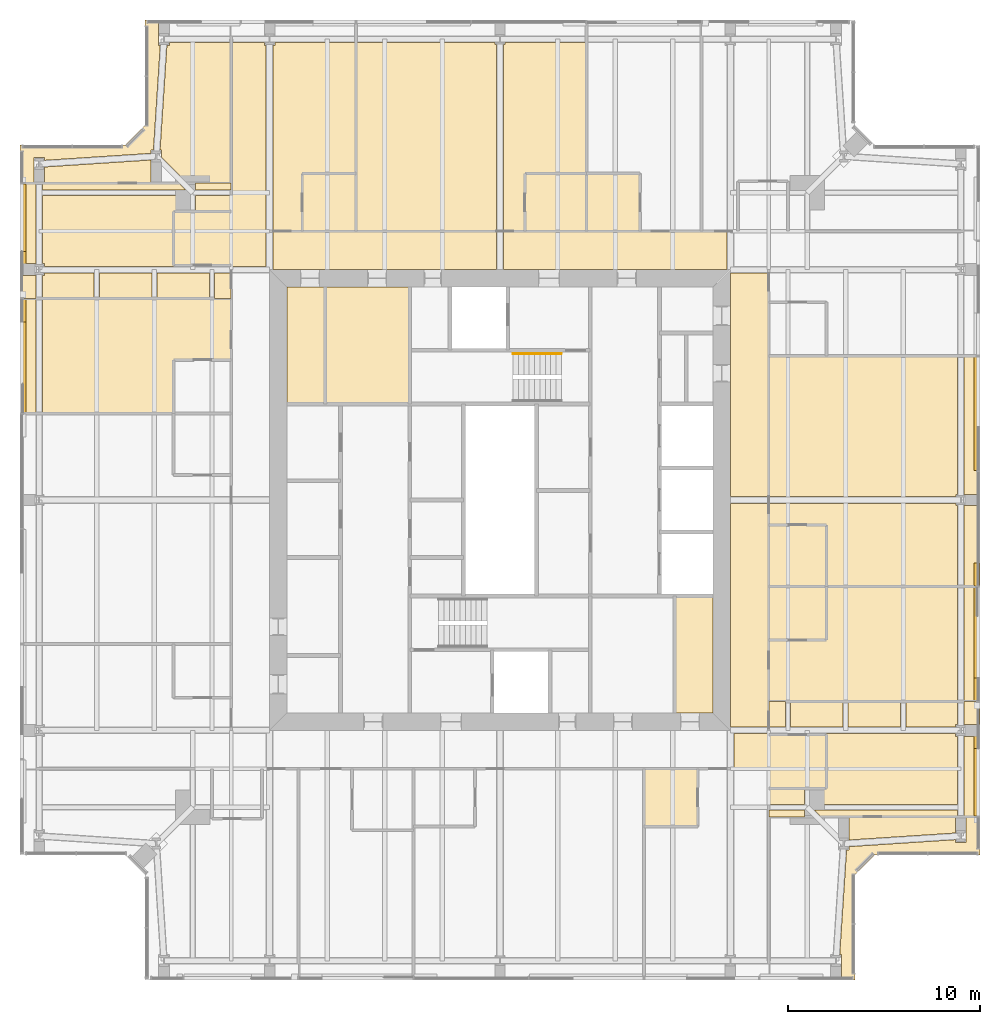
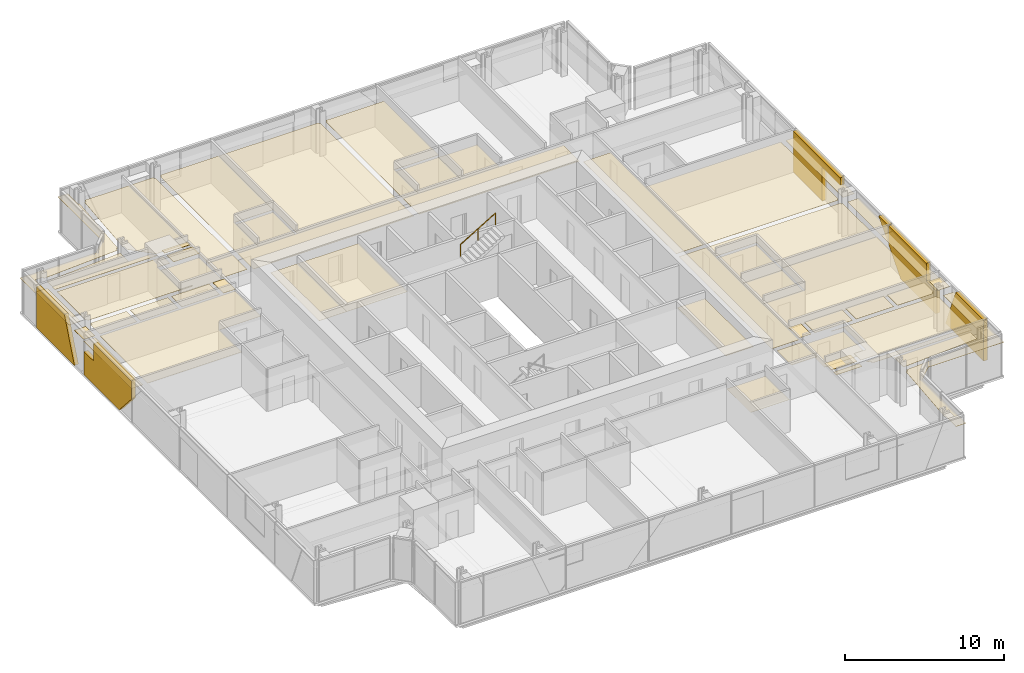
# One storey, part 18 of 19: 60 coverings, 1 railing.
"""IFC4 building model written with IfcOpenShell, lengths in metres."""

from ifc_helpers import new_model, si_unit, direction, frame, origin, origin_2d, place, context, subcontext, project, spatial, polyline, circle, outline, extrude, material, layer, layer_set, type_object, element, save


model = new_model("IFC4")

# Units and contexts
model_context = context("Model", 3, precision=1e-05, world=origin(), true_north=direction((0.0, 1.0)))
body_context = subcontext(model_context, "Body", "Model", "MODEL_VIEW")
ifc_project = project(units=[si_unit("LENGTHUNIT", "METRE"), si_unit("AREAUNIT", "SQUARE_METRE"), si_unit("VOLUMEUNIT", "CUBIC_METRE"), si_unit("PLANEANGLEUNIT", "RADIAN"), si_unit("MASSUNIT", "GRAM", prefix="KILO")], contexts=[model_context])

# Site, building, storey
site_placement = place(None, origin())
site = spatial("IfcSite", under=ifc_project, at=site_placement, CompositionType="ELEMENT")
building_placement = place(site_placement, origin())
building = spatial("IfcBuilding", under=site, at=building_placement, Name="Fenwick Lantern Interchange", CompositionType="ELEMENT")
storey_placement = place(building_placement, frame((0.0, 0.0, 273.0)))
storey = spatial("IfcBuildingStorey", under=building, at=storey_placement, Name="L65", CompositionType="ELEMENT", Elevation=273.0)

# Coverings
ifc_material_1 = material(Name="Granite cladding, warm grey flamed finish, on aluminium carrier frame", Category="masonry")
ifc_layer_1 = layer(ifc_material_1, 0.300048828125)
ifc_layer_set_1 = layer_set([ifc_layer_1], Name="BRACE CASING PANEL 300")
covering_type_1 = type_object("IfcCoveringType", Name="BRACE CASING PANEL 300", PredefinedType="CLADDING", material=ifc_layer_set_1)
covering_1_placement = place(storey_placement, frame((49.89990234375, 6.60009765625, 0.0), z_axis=(0.0, 0.0, 1.0), x_axis=(0.0, 1.0, 0.0)))
element("IfcCovering", 1, at=covering_1_placement, inside=storey, type_object=covering_type_1, Name="Brace casing 05 bay 01a", PredefinedType="CLADDING", context=body_context, shape_type="SweptSolid", body=[
    extrude(outline(polyline([(1.929931640625, 0.0), (6.721435546875, 0.0), (5.44775390625, 3.14990234375), (1.929931640625, 3.14990234375), (1.929931640625, 0.0)])), frame((0.0, 0.2099609375, 0.0), z_axis=(0.0, -1.0, 0.0), x_axis=(1.0, 0.0, 0.0)), (0.0, 0.0, 1.0), 0.300048828125),
])
covering_2_placement = place(storey_placement, frame((49.89990234375, 6.60009765625, 0.0), z_axis=(0.0, 0.0, 1.0), x_axis=(0.0, 1.0, 0.0)))
element("IfcCovering", 2, at=covering_2_placement, inside=storey, type_object=covering_type_1, Name="Brace casing 05 bay 02a", PredefinedType="CLADDING", context=body_context, shape_type="SweptSolid", body=[
    extrude(outline(polyline([(7.929931640625, 0.0), (12.335205078125, 0.0), (13.8701171875, 1.739501953125), (13.8701171875, 3.14990234375), (9.1201171875, 3.14990234375), (9.1201171875, 1.79736328125), (7.929931640625, 1.79736328125), (7.929931640625, 0.0)])), frame((0.0, 0.2099609375, 0.0), z_axis=(0.0, -1.0, 0.0), x_axis=(1.0, 0.0, 0.0)), (0.0, 0.0, 1.0), 0.300048828125),
])
covering_3_placement = place(storey_placement, frame((49.89990234375, 6.60009765625, 1.807373046875), z_axis=(0.0, 0.0, 1.0), x_axis=(0.0, 1.0, 0.0)))
element("IfcCovering", 3, at=covering_3_placement, inside=storey, type_object=covering_type_1, Name="Brace casing 05 bay 03a", PredefinedType="CLADDING", context=body_context, shape_type="SweptSolid", body=[
    extrude(outline(polyline([(13.929931640625, 0.0), (15.114501953125, 1.342529296875), (13.929931640625, 1.342529296875), (13.929931640625, 0.0)])), frame((0.0, 0.2099609375, 0.0), z_axis=(0.0, -1.0, 0.0), x_axis=(1.0, 0.0, 0.0)), (0.0, 0.0, 1.0), 0.300048828125),
])
covering_4_placement = place(storey_placement, frame((49.89990234375, 6.60009765625, 0.0), z_axis=(0.0, 0.0, 1.0), x_axis=(0.0, 1.0, 0.0)))
element("IfcCovering", 4, at=covering_4_placement, inside=storey, type_object=covering_type_1, Name="Brace casing 05 bay 04a", PredefinedType="CLADDING", context=body_context, shape_type="SweptSolid", body=[
    extrude(outline(polyline([(22.195068359375, 0.0), (25.8701171875, 0.0), (25.8701171875, 3.14990234375), (19.929931640625, 3.14990234375), (19.929931640625, 2.572509765625), (22.195068359375, 2.572509765625), (22.195068359375, 0.0)])), frame((0.0, 0.2099609375, 0.0), z_axis=(0.0, -1.0, 0.0), x_axis=(1.0, 0.0, 0.0)), (0.0, 0.0, 1.0), 0.300048828125),
])
covering_5_placement = place(storey_placement, frame((0.10009765625, 43.39990234375, 0.0), z_axis=(0.0, 0.0, 1.0), x_axis=(0.0, -1.0, 0.0)))
element("IfcCovering", 5, at=covering_5_placement, inside=storey, type_object=covering_type_1, Name="Brace casing 13 bay 01a", PredefinedType="CLADDING", context=body_context, shape_type="SweptSolid", body=[
    extrude(outline(polyline([(1.929931640625, 0.0), (6.721435546875, 0.0), (5.44775390625, 3.14990234375), (1.929931640625, 3.14990234375), (1.929931640625, 0.0)])), frame((0.0, 0.2099609375, 0.0), z_axis=(0.0, -1.0, 0.0), x_axis=(1.0, 0.0, 0.0)), (0.0, 0.0, 1.0), 0.300048828125),
])
covering_6_placement = place(storey_placement, frame((0.10009765625, 43.39990234375, 0.0), z_axis=(0.0, 0.0, 1.0), x_axis=(0.0, -1.0, 0.0)))
element("IfcCovering", 6, at=covering_6_placement, inside=storey, type_object=covering_type_1, Name="Brace casing 13 bay 02a", PredefinedType="CLADDING", context=body_context, shape_type="SweptSolid", body=[
    extrude(outline(polyline([(7.929931640625, 0.0), (12.335205078125, 0.0), (13.8701171875, 1.739501953125), (13.8701171875, 3.14990234375), (9.1201171875, 3.14990234375), (9.1201171875, 1.79736328125), (7.929931640625, 1.79736328125), (7.929931640625, 0.0)])), frame((0.0, 0.2099609375, 0.0), z_axis=(0.0, -1.0, 0.0), x_axis=(1.0, 0.0, 0.0)), (0.0, 0.0, 1.0), 0.300048828125),
])

# Railing
ifc_material_2 = material(Name="Stainless steel handrail", Category="steel")
railing_type = type_object("IfcRailingType", Name="HANDRAIL 900", PredefinedType="HANDRAIL", material=ifc_material_2)
railing_placement = place(storey_placement, frame((25.679931640625, 32.6259765625, 1.8701171875)))
element("IfcRailing", 7, at=railing_placement, inside=storey, type_object=railing_type, Name="L65/STAIR/ST2/HR2", PredefinedType="HANDRAIL", context=body_context, shape_type="SweptSolid", body=[
    extrude(circle(Radius=0.02392578125, at=origin_2d()), frame((0.0, 0.0, 0.8759765625), z_axis=(0.854821627497, 0.0, 0.518921945155), x_axis=(0.0, 1.0, 0.0)), (0.0, 0.0, 1.0), 2.947998046875),
    extrude(circle(Radius=0.02099609375, at=origin_2d()), origin(), (0.0, 0.0, 1.0), 0.851806640625),
    extrude(circle(Radius=0.02099609375, at=origin_2d()), frame((1.260009765625, 0.0, 0.764892578125)), (0.0, 0.0, 1.0), 0.851806640625),
    extrude(circle(Radius=0.02099609375, at=origin_2d()), frame((2.52001953125, 0.0, 1.52978515625)), (0.0, 0.0, 1.0), 0.851806640625),
])

# Coverings
ifc_material_3 = material(Name="Moisture resistant gypsum board on suspended frame, painted")
ifc_layer_2 = layer(ifc_material_3, 0.014892578125)
ifc_layer_set_2 = layer_set([ifc_layer_2], Name="MOISTURE RESISTANT CEILING 15")
covering_type_2 = type_object("IfcCoveringType", Name="MOISTURE RESISTANT CEILING 15", PredefinedType="CEILING", material=ifc_layer_set_2)
covering_7_placement = place(storey_placement, frame((0.0, 0.0, 2.60009765625)))
element("IfcCovering", 8, at=covering_7_placement, inside=storey, type_object=covering_type_2, Name="Men's WC ceiling", PredefinedType="CEILING", context=body_context, shape_type="SweptSolid", body=[
    extrude(outline(polyline([(34.10009765625, 13.89990234375), (36.10009765625, 13.89990234375), (36.10009765625, 20.0), (34.10009765625, 20.0), (34.10009765625, 13.89990234375)])), origin(), (0.0, 0.0, 1.0), 0.014892578125),
])
covering_8_placement = place(storey_placement, frame((0.0, 0.0, 2.60009765625)))
element("IfcCovering", 9, at=covering_8_placement, inside=storey, type_object=covering_type_2, Name="Women's WC ceiling", PredefinedType="CEILING", context=body_context, shape_type="SweptSolid", body=[
    extrude(outline(polyline([(20.300048828125, 36.10009765625), (15.89990234375, 36.10009765625), (15.89990234375, 30.0), (20.300048828125, 30.0), (20.300048828125, 36.10009765625)])), origin(), (0.0, 0.0, 1.0), 0.014892578125),
])
covering_9_placement = place(storey_placement, frame((0.0, 0.0, 2.60009765625)))
element("IfcCovering", 10, at=covering_9_placement, inside=storey, type_object=covering_type_2, Name="Men's WC ceiling", PredefinedType="CEILING", context=body_context, shape_type="SweptSolid", body=[
    extrude(outline(polyline([(15.89990234375, 36.10009765625), (13.89990234375, 36.10009765625), (13.89990234375, 30.0), (15.89990234375, 30.0), (15.89990234375, 36.10009765625)])), origin(), (0.0, 0.0, 1.0), 0.014892578125),
])
covering_10_placement = place(storey_placement, frame((0.0, 0.0, 2.39990234375)))
element("IfcCovering", 11, at=covering_10_placement, inside=storey, type_object=covering_type_2, Name="En-suite 6504 ceiling", PredefinedType="CEILING", context=body_context, shape_type="SweptSolid", body=[
    extrude(outline(polyline([(32.5, 8.0), (35.300048828125, 8.0), (35.300048828125, 11.0), (32.5, 11.0), (32.5, 8.0)])), origin(), (0.0, 0.0, 1.0), 0.01513671875),
])
covering_11_placement = place(storey_placement, frame((0.0, 0.0, 2.39990234375)))
element("IfcCovering", 12, at=covering_11_placement, inside=storey, type_object=covering_type_2, Name="En-suite 6505 ceiling", PredefinedType="CEILING", context=body_context, shape_type="SweptSolid", body=[
    extrude(outline(polyline([(42.0, 9.97509765625), (42.0, 12.77490234375), (39.0, 12.77490234375), (39.0, 9.97509765625), (42.0, 9.97509765625)])), origin(), (0.0, 0.0, 1.0), 0.01513671875),
])
covering_12_placement = place(storey_placement, frame((0.0, 0.0, 2.39990234375)))
element("IfcCovering", 13, at=covering_12_placement, inside=storey, type_object=covering_type_2, Name="En-suite 6506 ceiling", PredefinedType="CEILING", context=body_context, shape_type="SweptSolid", body=[
    extrude(outline(polyline([(42.0, 17.699951171875), (42.0, 20.5), (39.0, 20.5), (39.0, 17.699951171875), (42.0, 17.699951171875)])), origin(), (0.0, 0.0, 1.0), 0.01513671875),
])
covering_13_placement = place(storey_placement, frame((0.0, 0.0, 2.39990234375)))
element("IfcCovering", 14, at=covering_13_placement, inside=storey, type_object=covering_type_2, Name="En-suite 6507 ceiling", PredefinedType="CEILING", context=body_context, shape_type="SweptSolid", body=[
    extrude(outline(polyline([(42.0, 20.5), (42.0, 23.699951171875), (39.0, 23.699951171875), (39.0, 20.5), (42.0, 20.5)])), origin(), (0.0, 0.0, 1.0), 0.01513671875),
])
covering_14_placement = place(storey_placement, frame((0.0, 0.0, 2.39990234375)))
element("IfcCovering", 15, at=covering_14_placement, inside=storey, type_object=covering_type_2, Name="En-suite 6510 ceiling", PredefinedType="CEILING", context=body_context, shape_type="SweptSolid", body=[
    extrude(outline(polyline([(32.300048828125, 42.0), (29.5, 42.0), (29.5, 39.0), (32.300048828125, 39.0), (32.300048828125, 42.0)])), origin(), (0.0, 0.0, 1.0), 0.01513671875),
])
covering_15_placement = place(storey_placement, frame((0.0, 0.0, 2.39990234375)))
element("IfcCovering", 16, at=covering_15_placement, inside=storey, type_object=covering_type_2, Name="En-suite 6511 ceiling", PredefinedType="CEILING", context=body_context, shape_type="SweptSolid", body=[
    extrude(outline(polyline([(29.5, 42.0), (26.300048828125, 42.0), (26.300048828125, 39.0), (29.5, 39.0), (29.5, 42.0)])), origin(), (0.0, 0.0, 1.0), 0.01513671875),
])
covering_16_placement = place(storey_placement, frame((0.0, 0.0, 2.39990234375)))
element("IfcCovering", 17, at=covering_16_placement, inside=storey, type_object=covering_type_2, Name="En-suite 6512 ceiling", PredefinedType="CEILING", context=body_context, shape_type="SweptSolid", body=[
    extrude(outline(polyline([(17.5, 42.0), (14.699951171875, 42.0), (14.699951171875, 39.0), (17.5, 39.0), (17.5, 42.0)])), origin(), (0.0, 0.0, 1.0), 0.01513671875),
])
covering_17_placement = place(storey_placement, frame((0.0, 0.0, 2.39990234375)))
element("IfcCovering", 18, at=covering_17_placement, inside=storey, type_object=covering_type_2, Name="En-suite 6513 ceiling", PredefinedType="CEILING", context=body_context, shape_type="SweptSolid", body=[
    extrude(outline(polyline([(8.0, 40.02490234375), (8.0, 37.22509765625), (11.0, 37.22509765625), (11.0, 40.02490234375), (8.0, 40.02490234375)])), origin(), (0.0, 0.0, 1.0), 0.01513671875),
])
ifc_material_4 = material(Name="Gypsum plasterboard on suspended frame, painted")
ifc_layer_3 = layer(ifc_material_4, 0.014892578125)
ifc_layer_set_3 = layer_set([ifc_layer_3], Name="PLASTERBOARD CEILING 15")
covering_type_3 = type_object("IfcCoveringType", Name="PLASTERBOARD CEILING 15", PredefinedType="CEILING", material=ifc_layer_set_3)
covering_18_placement = place(storey_placement, frame((0.0, 0.0, 2.57275390625)))
element("IfcCovering", 19, at=covering_18_placement, inside=storey, type_object=covering_type_3, Name="Corridor ceiling", PredefinedType="CEILING", context=body_context, shape_type="SweptSolid", body=[
    extrude(outline(polyline([(39.0, 25.175048828125), (39.0, 36.833984375), (37.0, 36.833984375), (37.0, 25.175048828125), (39.0, 25.175048828125)])), origin(), (0.0, 0.0, 1.0), 0.01513671875),
])
covering_19_placement = place(storey_placement, frame((0.0, 0.0, 2.57275390625)))
element("IfcCovering", 20, at=covering_19_placement, inside=storey, type_object=covering_type_3, Name="Corridor ceiling", PredefinedType="CEILING", context=body_context, shape_type="SweptSolid", body=[
    extrude(outline(polyline([(39.0, 13.166015625), (39.0, 24.824951171875), (37.0, 24.824951171875), (37.0, 13.166015625), (39.0, 13.166015625)])), origin(), (0.0, 0.0, 1.0), 0.01513671875),
])
covering_20_placement = place(storey_placement, frame((0.0, 0.0, 2.57275390625)))
element("IfcCovering", 21, at=covering_20_placement, inside=storey, type_object=covering_type_3, Name="Corridor ceiling", PredefinedType="CEILING", context=body_context, shape_type="SweptSolid", body=[
    extrude(outline(polyline([(24.816162109375, 39.0), (13.183837890625, 39.0), (13.183837890625, 37.0), (24.816162109375, 37.0), (24.816162109375, 39.0)])), origin(), (0.0, 0.0, 1.0), 0.01513671875),
])
covering_21_placement = place(storey_placement, frame((0.0, 0.0, 2.57275390625)))
element("IfcCovering", 22, at=covering_21_placement, inside=storey, type_object=covering_type_3, Name="Corridor ceiling", PredefinedType="CEILING", context=body_context, shape_type="SweptSolid", body=[
    extrude(outline(polyline([(36.816162109375, 39.0), (25.183837890625, 39.0), (25.183837890625, 37.0), (36.816162109375, 37.0), (36.816162109375, 39.0)])), origin(), (0.0, 0.0, 1.0), 0.01513671875),
])
covering_22_placement = place(storey_placement, frame((0.0, 0.0, 2.57275390625)))
element("IfcCovering", 23, at=covering_22_placement, inside=storey, type_object=covering_type_3, Name="Corridor ceiling", PredefinedType="CEILING", context=body_context, shape_type="SweptSolid", body=[
    extrude(outline(polyline([(12.816162109375, 39.0), (11.0, 39.0), (11.0, 37.166015625), (12.816162109375, 37.166015625), (12.816162109375, 39.0)])), origin(), (0.0, 0.0, 1.0), 0.01513671875),
])
covering_23_placement = place(storey_placement, frame((0.0, 0.0, 2.57275390625)))
element("IfcCovering", 24, at=covering_23_placement, inside=storey, type_object=covering_type_3, Name="Corridor ceiling", PredefinedType="CEILING", context=body_context, shape_type="SweptSolid", body=[
    extrude(outline(polyline([(39.0, 11.0), (39.0, 12.833984375), (37.183837890625, 12.833984375), (37.183837890625, 11.0), (39.0, 11.0)])), origin(), (0.0, 0.0, 1.0), 0.01513671875),
])
covering_24_placement = place(storey_placement, frame((0.0, 0.0, 2.57275390625)))
element("IfcCovering", 25, at=covering_24_placement, inside=storey, type_object=covering_type_3, Name="Guest suite 6505 sitting room ceiling", PredefinedType="CEILING", context=body_context, shape_type="SweptSolid", body=[
    extrude(outline(polyline([(42.77734375, 1.33447265625), (42.77734375, 0.0), (43.5, 0.0), (43.5, 5.5), (44.5, 6.5), (50.0, 6.5), (50.0, 8.5), (49.27734375, 8.5), (49.27734375, 7.16552734375), (48.72265625, 7.16552734375), (48.72265625, 7.30908203125), (43.17724609375, 6.9453125), (43.17724609375, 6.765625), (43.05078125, 6.765625), (42.69482421875, 1.33447265625), (42.77734375, 1.33447265625)])), origin(), (0.0, 0.0, 1.0), 0.01513671875),
])
covering_25_placement = place(storey_placement, frame((0.0, 0.0, 2.57275390625)))
element("IfcCovering", 26, at=covering_25_placement, inside=storey, type_object=covering_type_3, Name="Guest suite 6505 sitting room ceiling", PredefinedType="CEILING", context=body_context, shape_type="SweptSolid", body=[
    extrude(outline(polyline([(43.17724609375, 8.5), (43.17724609375, 7.291015625), (48.72265625, 7.654541015625), (48.72265625, 8.5), (43.17724609375, 8.5)])), origin(), (0.0, 0.0, 1.0), 0.01513671875),
])
covering_26_placement = place(storey_placement, frame((0.0, 0.0, 2.699951171875)))
element("IfcCovering", 27, at=covering_26_placement, inside=storey, type_object=covering_type_3, Name="Guest suite 6505 bedroom ceiling", PredefinedType="CEILING", context=body_context, shape_type="SweptSolid", body=[
    extrude(outline(polyline([(48.72900390625, 12.6845703125), (48.72900390625, 12.833984375), (41.134521484375, 12.833984375), (41.134521484375, 12.77490234375), (42.0, 12.77490234375), (42.0, 9.97509765625), (41.134521484375, 9.97509765625), (41.134521484375, 9.134521484375), (48.82763671875, 9.134521484375), (48.82763671875, 12.6845703125), (48.72900390625, 12.6845703125)])), origin(), (0.0, 0.0, 1.0), 0.01513671875),
])
covering_27_placement = place(storey_placement, frame((0.0, 0.0, 2.699951171875)))
element("IfcCovering", 28, at=covering_27_placement, inside=storey, type_object=covering_type_3, Name="Guest suite 6505 bedroom ceiling", PredefinedType="CEILING", context=body_context, shape_type="SweptSolid", body=[
    extrude(outline(polyline([(42.865478515625, 14.5), (40.134521484375, 14.5), (40.134521484375, 13.166015625), (42.865478515625, 13.166015625), (42.865478515625, 14.5)])), origin(), (0.0, 0.0, 1.0), 0.01513671875),
])
covering_28_placement = place(storey_placement, frame((0.0, 0.0, 2.699951171875)))
element("IfcCovering", 29, at=covering_28_placement, inside=storey, type_object=covering_type_3, Name="Guest suite 6505 bedroom ceiling", PredefinedType="CEILING", context=body_context, shape_type="SweptSolid", body=[
    extrude(outline(polyline([(45.865478515625, 14.5), (43.134521484375, 14.5), (43.134521484375, 13.166015625), (45.865478515625, 13.166015625), (45.865478515625, 14.5)])), origin(), (0.0, 0.0, 1.0), 0.01513671875),
])
covering_29_placement = place(storey_placement, frame((0.0, 0.0, 2.699951171875)))
element("IfcCovering", 30, at=covering_29_placement, inside=storey, type_object=covering_type_3, Name="Guest suite 6505 bedroom ceiling", PredefinedType="CEILING", context=body_context, shape_type="SweptSolid", body=[
    extrude(outline(polyline([(48.72900390625, 13.3154296875), (48.82763671875, 13.3154296875), (48.82763671875, 14.5), (46.134521484375, 14.5), (46.134521484375, 13.166015625), (48.72900390625, 13.166015625), (48.72900390625, 13.3154296875)])), origin(), (0.0, 0.0, 1.0), 0.01513671875),
])
covering_30_placement = place(storey_placement, frame((0.0, 0.0, 2.699951171875)))
element("IfcCovering", 31, at=covering_30_placement, inside=storey, type_object=covering_type_3, Name="Guest suite 6505 bedroom ceiling", PredefinedType="CEILING", context=body_context, shape_type="SweptSolid", body=[
    extrude(outline(polyline([(50.0, 12.6845703125), (49.17236328125, 12.6845703125), (49.17236328125, 8.5), (50.0, 8.5), (50.0, 12.6845703125)])), origin(), (0.0, 0.0, 1.0), 0.01513671875),
])
covering_31_placement = place(storey_placement, frame((0.0, 0.0, 2.699951171875)))
element("IfcCovering", 32, at=covering_31_placement, inside=storey, type_object=covering_type_3, Name="Guest suite 6505 bedroom ceiling", PredefinedType="CEILING", context=body_context, shape_type="SweptSolid", body=[
    extrude(outline(polyline([(41.716796875, 8.5), (48.82763671875, 8.5), (48.82763671875, 8.865478515625), (41.351318359375, 8.865478515625), (41.716796875, 8.5)])), origin(), (0.0, 0.0, 1.0), 0.01513671875),
])
covering_32_placement = place(storey_placement, frame((0.0, 0.0, 2.699951171875)))
element("IfcCovering", 33, at=covering_32_placement, inside=storey, type_object=covering_type_3, Name="Guest suite 6505 bedroom ceiling", PredefinedType="CEILING", context=body_context, shape_type="SweptSolid", body=[
    extrude(outline(polyline([(39.0, 9.97509765625), (39.0, 9.134521484375), (40.865478515625, 9.134521484375), (40.865478515625, 9.97509765625), (39.0, 9.97509765625)])), origin(), (0.0, 0.0, 1.0), 0.01513671875),
])
covering_33_placement = place(storey_placement, frame((0.0, 0.0, 2.699951171875)))
element("IfcCovering", 34, at=covering_33_placement, inside=storey, type_object=covering_type_3, Name="Guest suite 6505 bedroom ceiling", PredefinedType="CEILING", context=body_context, shape_type="SweptSolid", body=[
    extrude(outline(polyline([(39.0, 14.5), (39.0, 13.166015625), (39.865478515625, 13.166015625), (39.865478515625, 14.5), (39.0, 14.5)])), origin(), (0.0, 0.0, 1.0), 0.01513671875),
])
covering_34_placement = place(storey_placement, frame((0.0, 0.0, 2.699951171875)))
element("IfcCovering", 35, at=covering_34_placement, inside=storey, type_object=covering_type_3, Name="Guest suite 6505 bedroom ceiling", PredefinedType="CEILING", context=body_context, shape_type="SweptSolid", body=[
    extrude(outline(polyline([(50.0, 13.3154296875), (50.0, 14.5), (49.17236328125, 14.5), (49.17236328125, 13.3154296875), (50.0, 13.3154296875)])), origin(), (0.0, 0.0, 1.0), 0.01513671875),
])
covering_35_placement = place(storey_placement, frame((0.0, 0.0, 2.699951171875)))
element("IfcCovering", 36, at=covering_35_placement, inside=storey, type_object=covering_type_3, Name="Guest suite 6505 bedroom ceiling", PredefinedType="CEILING", context=body_context, shape_type="SweptSolid", body=[
    extrude(outline(polyline([(39.0, 8.5), (40.865478515625, 8.5), (40.865478515625, 8.865478515625), (39.0, 8.865478515625), (39.0, 8.5)])), origin(), (0.0, 0.0, 1.0), 0.01513671875),
])
covering_36_placement = place(storey_placement, frame((0.0, 0.0, 2.57275390625)))
element("IfcCovering", 37, at=covering_36_placement, inside=storey, type_object=covering_type_3, Name="Guest room 6506 ceiling", PredefinedType="CEILING", context=body_context, shape_type="SweptSolid", body=[
    extrude(outline(polyline([(39.0, 14.5), (48.82763671875, 14.5), (48.82763671875, 20.5), (42.0, 20.5), (42.0, 17.699951171875), (39.0, 17.699951171875), (39.0, 14.5)])), origin(), (0.0, 0.0, 1.0), 0.01513671875),
])
covering_37_placement = place(storey_placement, frame((0.0, 0.0, 2.57275390625)))
element("IfcCovering", 38, at=covering_37_placement, inside=storey, type_object=covering_type_3, Name="Guest room 6506 ceiling", PredefinedType="CEILING", context=body_context, shape_type="SweptSolid", body=[
    extrude(outline(polyline([(50.0, 14.5), (50.0, 20.5), (49.17236328125, 20.5), (49.17236328125, 14.5), (50.0, 14.5)])), origin(), (0.0, 0.0, 1.0), 0.01513671875),
])
covering_38_placement = place(storey_placement, frame((0.0, 0.0, 2.57275390625)))
element("IfcCovering", 39, at=covering_38_placement, inside=storey, type_object=covering_type_3, Name="Guest suite 6507 ceiling", PredefinedType="CEILING", context=body_context, shape_type="SweptSolid", body=[
    extrude(outline(polyline([(48.73779296875, 25.28759765625), (48.82763671875, 25.28759765625), (48.82763671875, 32.5), (39.0, 32.5), (39.0, 25.175048828125), (48.73779296875, 25.175048828125), (48.73779296875, 25.28759765625)])), origin(), (0.0, 0.0, 1.0), 0.01513671875),
])
covering_39_placement = place(storey_placement, frame((0.0, 0.0, 2.57275390625)))
element("IfcCovering", 40, at=covering_39_placement, inside=storey, type_object=covering_type_3, Name="Guest suite 6507 ceiling", PredefinedType="CEILING", context=body_context, shape_type="SweptSolid", body=[
    extrude(outline(polyline([(48.73779296875, 24.71240234375), (48.73779296875, 24.824951171875), (39.0, 24.824951171875), (39.0, 23.699951171875), (42.0, 23.699951171875), (42.0, 20.5), (48.82763671875, 20.5), (48.82763671875, 24.71240234375), (48.73779296875, 24.71240234375)])), origin(), (0.0, 0.0, 1.0), 0.01513671875),
])
covering_40_placement = place(storey_placement, frame((0.0, 0.0, 2.57275390625)))
element("IfcCovering", 41, at=covering_40_placement, inside=storey, type_object=covering_type_3, Name="Guest suite 6507 ceiling", PredefinedType="CEILING", context=body_context, shape_type="SweptSolid", body=[
    extrude(outline(polyline([(50.0, 25.28759765625), (50.0, 32.5), (49.17236328125, 32.5), (49.17236328125, 25.28759765625), (50.0, 25.28759765625)])), origin(), (0.0, 0.0, 1.0), 0.01513671875),
])
covering_41_placement = place(storey_placement, frame((0.0, 0.0, 2.57275390625)))
element("IfcCovering", 42, at=covering_41_placement, inside=storey, type_object=covering_type_3, Name="Guest suite 6507 ceiling", PredefinedType="CEILING", context=body_context, shape_type="SweptSolid", body=[
    extrude(outline(polyline([(50.0, 24.71240234375), (49.17236328125, 24.71240234375), (49.17236328125, 20.5), (50.0, 20.5), (50.0, 24.71240234375)])), origin(), (0.0, 0.0, 1.0), 0.01513671875),
])
covering_42_placement = place(storey_placement, frame((0.0, 0.0, 2.57275390625)))
element("IfcCovering", 43, at=covering_42_placement, inside=storey, type_object=covering_type_3, Name="Guest suite 6511 ceiling", PredefinedType="CEILING", context=body_context, shape_type="SweptSolid", body=[
    extrude(outline(polyline([(24.73779296875, 48.71240234375), (24.73779296875, 48.82763671875), (17.5, 48.82763671875), (17.5, 39.0), (24.816162109375, 39.0), (24.816162109375, 48.71240234375), (24.73779296875, 48.71240234375)])), origin(), (0.0, 0.0, 1.0), 0.01513671875),
])
covering_43_placement = place(storey_placement, frame((0.0, 0.0, 2.57275390625)))
element("IfcCovering", 44, at=covering_43_placement, inside=storey, type_object=covering_type_3, Name="Guest suite 6511 ceiling", PredefinedType="CEILING", context=body_context, shape_type="SweptSolid", body=[
    extrude(outline(polyline([(25.26220703125, 48.71240234375), (25.183837890625, 48.71240234375), (25.183837890625, 39.0), (26.300048828125, 39.0), (26.300048828125, 42.0), (29.5, 42.0), (29.5, 48.82763671875), (25.26220703125, 48.82763671875), (25.26220703125, 48.71240234375)])), origin(), (0.0, 0.0, 1.0), 0.01513671875),
])
covering_44_placement = place(storey_placement, frame((0.0, 0.0, 2.57275390625)))
element("IfcCovering", 45, at=covering_44_placement, inside=storey, type_object=covering_type_3, Name="Guest room 6512 ceiling", PredefinedType="CEILING", context=body_context, shape_type="SweptSolid", body=[
    extrude(outline(polyline([(13.27099609375, 48.6845703125), (13.183837890625, 48.6845703125), (13.183837890625, 39.0), (14.699951171875, 39.0), (14.699951171875, 42.0), (17.5, 42.0), (17.5, 48.82763671875), (13.27099609375, 48.82763671875), (13.27099609375, 48.6845703125)])), origin(), (0.0, 0.0, 1.0), 0.01513671875),
])
covering_45_placement = place(storey_placement, frame((0.0, 0.0, 2.57275390625)))
element("IfcCovering", 46, at=covering_45_placement, inside=storey, type_object=covering_type_3, Name="Guest room 6512 ceiling", PredefinedType="CEILING", context=body_context, shape_type="SweptSolid", body=[
    extrude(outline(polyline([(12.72900390625, 48.6845703125), (12.72900390625, 48.82763671875), (11.0, 48.82763671875), (11.0, 39.0), (12.816162109375, 39.0), (12.816162109375, 48.6845703125), (12.72900390625, 48.6845703125)])), origin(), (0.0, 0.0, 1.0), 0.01513671875),
])
covering_46_placement = place(storey_placement, frame((0.0, 0.0, 2.57275390625)))
element("IfcCovering", 47, at=covering_46_placement, inside=storey, type_object=covering_type_3, Name="Guest suite 6513 sitting room ceiling", PredefinedType="CEILING", context=body_context, shape_type="SweptSolid", body=[
    extrude(outline(polyline([(7.77734375, 48.66552734375), (7.65087890625, 48.66552734375), (7.294677734375, 43.234375), (7.37744140625, 43.234375), (7.37744140625, 42.839599609375), (8.716796875, 41.5), (11.0, 41.5), (11.0, 48.82763671875), (7.77734375, 48.82763671875), (7.77734375, 48.66552734375)])), origin(), (0.0, 0.0, 1.0), 0.01513671875),
])
covering_47_placement = place(storey_placement, frame((0.0, 0.0, 2.57275390625)))
element("IfcCovering", 48, at=covering_47_placement, inside=storey, type_object=covering_type_3, Name="Guest suite 6513 sitting room ceiling", PredefinedType="CEILING", context=body_context, shape_type="SweptSolid", body=[
    extrude(outline(polyline([(7.22265625, 48.66552734375), (7.22265625, 50.0), (6.5, 50.0), (6.5, 44.5), (5.5, 43.5), (0.0, 43.5), (0.0, 41.5), (0.72265625, 41.5), (0.72265625, 42.83447265625), (1.27734375, 42.83447265625), (1.27734375, 42.69091796875), (6.82275390625, 43.0546875), (6.82275390625, 43.234375), (6.94921875, 43.234375), (7.30517578125, 48.66552734375), (7.22265625, 48.66552734375)])), origin(), (0.0, 0.0, 1.0), 0.01513671875),
])
covering_48_placement = place(storey_placement, frame((0.0, 0.0, 2.57275390625)))
element("IfcCovering", 49, at=covering_48_placement, inside=storey, type_object=covering_type_3, Name="Guest suite 6513 sitting room ceiling", PredefinedType="CEILING", context=body_context, shape_type="SweptSolid", body=[
    extrude(outline(polyline([(6.82275390625, 41.5), (6.82275390625, 42.708984375), (1.27734375, 42.345458984375), (1.27734375, 41.5), (6.82275390625, 41.5)])), origin(), (0.0, 0.0, 1.0), 0.01513671875),
])
covering_49_placement = place(storey_placement, frame((0.0, 0.0, 2.699951171875)))
element("IfcCovering", 50, at=covering_49_placement, inside=storey, type_object=covering_type_3, Name="Guest suite 6513 bedroom ceiling", PredefinedType="CEILING", context=body_context, shape_type="SweptSolid", body=[
    extrude(outline(polyline([(1.27099609375, 37.3154296875), (1.27099609375, 37.166015625), (8.865478515625, 37.166015625), (8.865478515625, 37.22509765625), (8.0, 37.22509765625), (8.0, 40.02490234375), (8.865478515625, 40.02490234375), (8.865478515625, 40.865478515625), (1.17236328125, 40.865478515625), (1.17236328125, 37.3154296875), (1.27099609375, 37.3154296875)])), origin(), (0.0, 0.0, 1.0), 0.01513671875),
])
covering_50_placement = place(storey_placement, frame((0.0, 0.0, 2.699951171875)))
element("IfcCovering", 51, at=covering_50_placement, inside=storey, type_object=covering_type_3, Name="Guest suite 6513 bedroom ceiling", PredefinedType="CEILING", context=body_context, shape_type="SweptSolid", body=[
    extrude(outline(polyline([(4.134521484375, 35.5), (6.865478515625, 35.5), (6.865478515625, 36.833984375), (4.134521484375, 36.833984375), (4.134521484375, 35.5)])), origin(), (0.0, 0.0, 1.0), 0.01513671875),
])
covering_51_placement = place(storey_placement, frame((0.0, 0.0, 2.699951171875)))
element("IfcCovering", 52, at=covering_51_placement, inside=storey, type_object=covering_type_3, Name="Guest suite 6513 bedroom ceiling", PredefinedType="CEILING", context=body_context, shape_type="SweptSolid", body=[
    extrude(outline(polyline([(7.134521484375, 35.5), (9.865478515625, 35.5), (9.865478515625, 36.833984375), (7.134521484375, 36.833984375), (7.134521484375, 35.5)])), origin(), (0.0, 0.0, 1.0), 0.01513671875),
])
covering_52_placement = place(storey_placement, frame((0.0, 0.0, 2.699951171875)))
element("IfcCovering", 53, at=covering_52_placement, inside=storey, type_object=covering_type_3, Name="Guest suite 6513 bedroom ceiling", PredefinedType="CEILING", context=body_context, shape_type="SweptSolid", body=[
    extrude(outline(polyline([(1.27099609375, 36.6845703125), (1.17236328125, 36.6845703125), (1.17236328125, 35.5), (3.865478515625, 35.5), (3.865478515625, 36.833984375), (1.27099609375, 36.833984375), (1.27099609375, 36.6845703125)])), origin(), (0.0, 0.0, 1.0), 0.01513671875),
])
covering_53_placement = place(storey_placement, frame((0.0, 0.0, 2.699951171875)))
element("IfcCovering", 54, at=covering_53_placement, inside=storey, type_object=covering_type_3, Name="Guest suite 6513 bedroom ceiling", PredefinedType="CEILING", context=body_context, shape_type="SweptSolid", body=[
    extrude(outline(polyline([(0.0, 37.3154296875), (0.82763671875, 37.3154296875), (0.82763671875, 41.5), (0.0, 41.5), (0.0, 37.3154296875)])), origin(), (0.0, 0.0, 1.0), 0.01513671875),
])
covering_54_placement = place(storey_placement, frame((0.0, 0.0, 2.699951171875)))
element("IfcCovering", 55, at=covering_54_placement, inside=storey, type_object=covering_type_3, Name="Guest suite 6513 bedroom ceiling", PredefinedType="CEILING", context=body_context, shape_type="SweptSolid", body=[
    extrude(outline(polyline([(8.283203125, 41.5), (1.17236328125, 41.5), (1.17236328125, 41.134521484375), (8.648681640625, 41.134521484375), (8.283203125, 41.5)])), origin(), (0.0, 0.0, 1.0), 0.01513671875),
])
covering_55_placement = place(storey_placement, frame((0.0, 0.0, 2.699951171875)))
element("IfcCovering", 56, at=covering_55_placement, inside=storey, type_object=covering_type_3, Name="Guest suite 6513 bedroom ceiling", PredefinedType="CEILING", context=body_context, shape_type="SweptSolid", body=[
    extrude(outline(polyline([(11.0, 40.02490234375), (11.0, 40.865478515625), (9.134521484375, 40.865478515625), (9.134521484375, 40.02490234375), (11.0, 40.02490234375)])), origin(), (0.0, 0.0, 1.0), 0.01513671875),
])
covering_56_placement = place(storey_placement, frame((0.0, 0.0, 2.699951171875)))
element("IfcCovering", 57, at=covering_56_placement, inside=storey, type_object=covering_type_3, Name="Guest suite 6513 bedroom ceiling", PredefinedType="CEILING", context=body_context, shape_type="SweptSolid", body=[
    extrude(outline(polyline([(11.0, 35.5), (11.0, 36.833984375), (10.134521484375, 36.833984375), (10.134521484375, 35.5), (11.0, 35.5)])), origin(), (0.0, 0.0, 1.0), 0.01513671875),
])
covering_57_placement = place(storey_placement, frame((0.0, 0.0, 2.699951171875)))
element("IfcCovering", 58, at=covering_57_placement, inside=storey, type_object=covering_type_3, Name="Guest suite 6513 bedroom ceiling", PredefinedType="CEILING", context=body_context, shape_type="SweptSolid", body=[
    extrude(outline(polyline([(0.0, 36.6845703125), (0.0, 35.5), (0.82763671875, 35.5), (0.82763671875, 36.6845703125), (0.0, 36.6845703125)])), origin(), (0.0, 0.0, 1.0), 0.01513671875),
])
covering_58_placement = place(storey_placement, frame((0.0, 0.0, 2.699951171875)))
element("IfcCovering", 59, at=covering_58_placement, inside=storey, type_object=covering_type_3, Name="Guest suite 6513 bedroom ceiling", PredefinedType="CEILING", context=body_context, shape_type="SweptSolid", body=[
    extrude(outline(polyline([(11.0, 41.5), (9.134521484375, 41.5), (9.134521484375, 41.134521484375), (11.0, 41.134521484375), (11.0, 41.5)])), origin(), (0.0, 0.0, 1.0), 0.01513671875),
])
covering_59_placement = place(storey_placement, frame((0.0, 0.0, 2.57275390625)))
element("IfcCovering", 60, at=covering_59_placement, inside=storey, type_object=covering_type_3, Name="Guest room 6514 ceiling", PredefinedType="CEILING", context=body_context, shape_type="SweptSolid", body=[
    extrude(outline(polyline([(11.0, 35.5), (1.17236328125, 35.5), (1.17236328125, 29.5), (8.0, 29.5), (8.0, 32.300048828125), (11.0, 32.300048828125), (11.0, 35.5)])), origin(), (0.0, 0.0, 1.0), 0.01513671875),
])
covering_60_placement = place(storey_placement, frame((0.0, 0.0, 2.57275390625)))
element("IfcCovering", 61, at=covering_60_placement, inside=storey, type_object=covering_type_3, Name="Guest room 6514 ceiling", PredefinedType="CEILING", context=body_context, shape_type="SweptSolid", body=[
    extrude(outline(polyline([(0.0, 35.5), (0.0, 29.5), (0.82763671875, 29.5), (0.82763671875, 35.5), (0.0, 35.5)])), origin(), (0.0, 0.0, 1.0), 0.01513671875),
])

save(model, "model.ifc")
